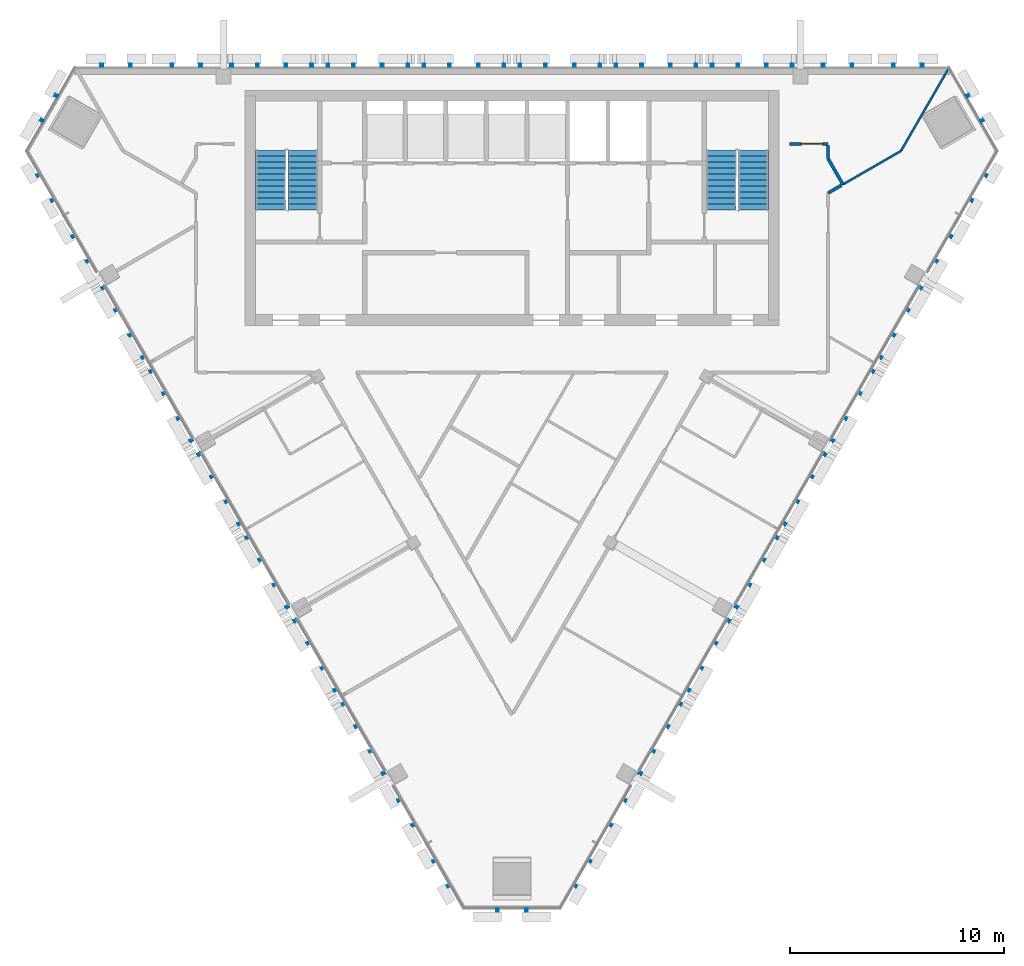
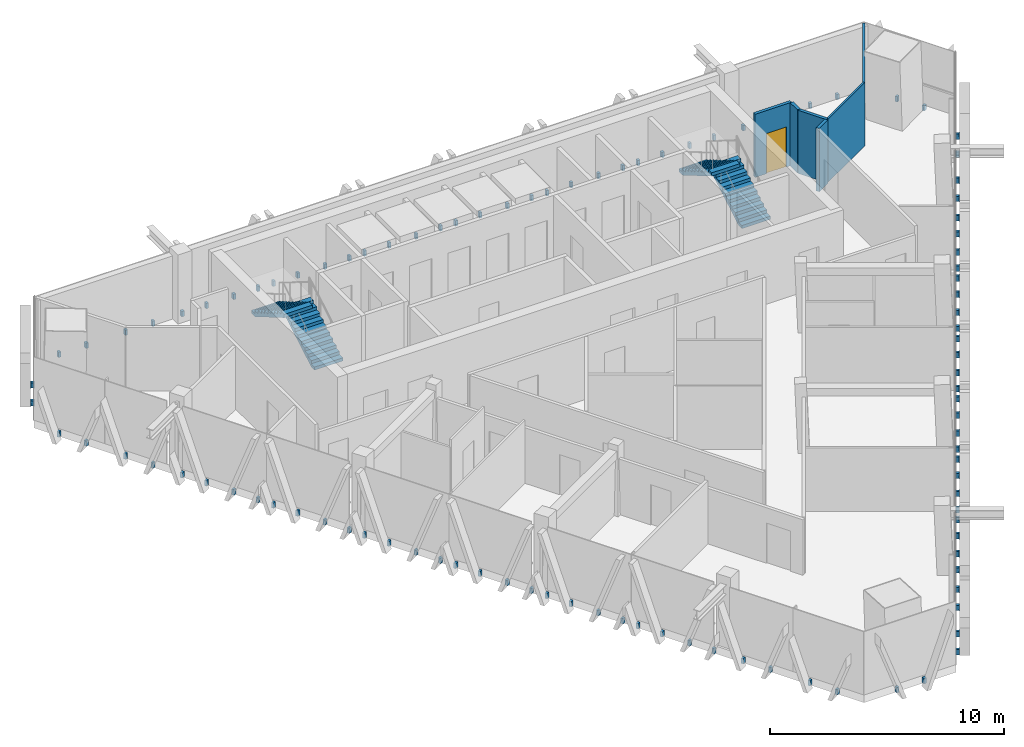
# One storey, part 10 of 12: 6 discrete accessories, 6 walls, 4 stair flights, 1 door, 1 opening, 2 elements without a shape of their own.
"""IFC4 building model written with IfcOpenShell, lengths in metres."""

import ifcopenshell
import ifcopenshell.guid

model = None  # the IFC model being written
_history = None  # IfcOwnerHistory: only IFC2X3 demands one
_inside = {}  # id of a spatial element -> (the spatial element, [elements in it])
_under = {}  # id of a project, library or spatial element -> (it, [spatial elements below it])
_declared = {}  # id of a project -> (the project, [libraries it declares])
_typed = {}  # id of a type object -> (the type object, [elements of that type])
_made_of = {}  # id of a material, layer set ... -> (it, [elements and type objects made of it])


def new_model(schema):
    """Start an empty IFC model of exactly this schema.

    Asked for "IFC4X3", IfcOpenShell would pick the latest addendum, in which some entities
    have other attributes; the version numbers below select the first issue.
    IFC2X3 requires an IfcOwnerHistory on every rooted entity: one is made here for all.
    """
    global model, _history
    if schema == "IFC4X3":
        model = ifcopenshell.file(schema_version=(4, 3, 0, 0))
    else:
        model = ifcopenshell.file(schema=schema)
    _inside.clear()
    _under.clear()
    _declared.clear()
    _typed.clear()
    _made_of.clear()
    _history = None
    if model.schema == "IFC2X3":
        org = make("IfcOrganization", Name="unknown")
        user = make(
            "IfcPersonAndOrganization",
            ThePerson=make("IfcPerson", FamilyName="unknown"),
            TheOrganization=org,
        )
        app = make(
            "IfcApplication",
            ApplicationDeveloper=org,
            Version="unknown",
            ApplicationFullName="unknown",
            ApplicationIdentifier="unknown",
        )
        _history = make(
            "IfcOwnerHistory",
            OwningUser=user,
            OwningApplication=app,
            ChangeAction="ADDED",
            CreationDate=0,
        )
    return model


def make(cls, **values):
    """One entity of the class cls with the attributes given. An attribute that is None is left unset."""
    return model.create_entity(
        cls, **{name: value for name, value in values.items() if value is not None}
    )


def rooted(cls, **values):
    """An entity with a GlobalId (a new one), such as an element, a storey or a relation."""
    return make(cls, GlobalId=ifcopenshell.guid.new(), OwnerHistory=_history, **values)


def si_unit(unit_type, name, prefix=None):
    """IfcSIUnit, for example si_unit("LENGTHUNIT", "METRE", prefix="MILLI")."""
    return make("IfcSIUnit", UnitType=unit_type, Prefix=prefix, Name=name)


def assignment(units):
    """IfcUnitAssignment: the units of a project."""
    return None if units is None else make("IfcUnitAssignment", Units=units)


def point(xyz):
    """IfcCartesianPoint."""
    return None if xyz is None else make("IfcCartesianPoint", Coordinates=xyz)


def direction(xyz):
    """IfcDirection."""
    return None if xyz is None else make("IfcDirection", DirectionRatios=xyz)


def frame(location, z_axis=None, x_axis=None):
    """IfcAxis2Placement3D, a coordinate frame: its origin and axes. An axis left out is left unset."""
    return make(
        "IfcAxis2Placement3D",
        Location=point(location),
        Axis=direction(z_axis),
        RefDirection=direction(x_axis),
    )


def frame_2d(location, x_axis=None):
    """IfcAxis2Placement2D, a coordinate frame in the plane: its origin and x axis."""
    return make(
        "IfcAxis2Placement2D", Location=point(location), RefDirection=direction(x_axis)
    )


def origin():
    """The frame at (0, 0, 0) with its axes left unset."""
    return frame((0.0, 0.0, 0.0))


def place(relative_to, where):
    """IfcLocalPlacement: puts the frame where relative to a parent placement (None: the world)."""
    return make(
        "IfcLocalPlacement", PlacementRelTo=relative_to, RelativePlacement=where
    )


def context(
    kind, dimensions, precision=None, world=None, true_north=None, identifier=None
):
    """IfcGeometricRepresentationContext, for example the 3D "Model" context."""
    return make(
        "IfcGeometricRepresentationContext",
        ContextIdentifier=identifier,
        ContextType=kind,
        CoordinateSpaceDimension=dimensions,
        Precision=precision,
        WorldCoordinateSystem=world,
        TrueNorth=true_north,
    )


def subcontext(parent, identifier, kind, view, scale=None):
    """IfcGeometricRepresentationSubContext, for example "Body" below "Model"."""
    return make(
        "IfcGeometricRepresentationSubContext",
        ContextIdentifier=identifier,
        ContextType=kind,
        ParentContext=parent,
        TargetScale=scale,
        TargetView=view,
    )


def project(units=None, contexts=None):
    """IfcProject with its units and contexts."""
    return rooted(
        "IfcProject",
        Name="project",
        RepresentationContexts=contexts,
        UnitsInContext=assignment(units),
    )


def spatial(cls, under=None, at=None, **own):
    """A site, building, storey or space (cls), placed at a placement, below another one or the project."""
    s = rooted(cls, ObjectPlacement=at, **own)
    if under is not None:
        _under.setdefault(under.id(), (under, []))[1].append(s)
    return s


def polyline(points):
    """IfcPolyline through the points."""
    return make("IfcPolyline", Points=[point(p) for p in points])


def profile(cls, at=None, kind="AREA", **sizes):
    """A parametric profile (cls). Its sizes go by their IFC names, for example OverallWidth=200.0."""
    return make(cls, ProfileType=kind, Position=at, **sizes)


def rectangle(**sizes):
    """IfcRectangleProfileDef."""
    return profile("IfcRectangleProfileDef", **sizes)


def outline(outer, holes=None, kind="AREA"):
    """IfcArbitraryClosedProfileDef: a profile drawn as a closed curve; with holes, ...WithVoids."""
    if holes is None:
        return make("IfcArbitraryClosedProfileDef", ProfileType=kind, OuterCurve=outer)
    return make(
        "IfcArbitraryProfileDefWithVoids",
        ProfileType=kind,
        OuterCurve=outer,
        InnerCurves=holes,
    )


def extrude(swept, where, along, depth):
    """IfcExtrudedAreaSolid: the profile swept, set in the frame where, extruded along a direction by depth."""
    return make(
        "IfcExtrudedAreaSolid",
        SweptArea=swept,
        Position=where,
        ExtrudedDirection=direction(along),
        Depth=depth,
    )


def shape(context_of_items, identifier, shape_type, items):
    """IfcShapeRepresentation: the items that make up one representation, for example the "Body"."""
    return make(
        "IfcShapeRepresentation",
        ContextOfItems=context_of_items,
        RepresentationIdentifier=identifier,
        RepresentationType=shape_type,
        Items=items,
    )


def source(mapping_origin, context_of_items, identifier, shape_type, items):
    """IfcRepresentationMap: a shape defined once, which mapped items show again and again."""
    return make(
        "IfcRepresentationMap",
        MappingOrigin=mapping_origin,
        MappedRepresentation=shape(context_of_items, identifier, shape_type, items),
    )


def transform(
    local_origin,
    x_axis=None,
    y_axis=None,
    z_axis=None,
    scale=None,
    scale2=None,
    scale3=None,
    uniform=True,
):
    """IfcCartesianTransformationOperator3D, or its non-uniform kind. x_axis, y_axis, z_axis: its Axis1, 2, 3."""
    if uniform:
        return make(
            "IfcCartesianTransformationOperator3D",
            Axis1=direction(x_axis),
            Axis2=direction(y_axis),
            LocalOrigin=point(local_origin),
            Scale=scale,
            Axis3=direction(z_axis),
        )
    return make(
        "IfcCartesianTransformationOperator3DnonUniform",
        Axis1=direction(x_axis),
        Axis2=direction(y_axis),
        LocalOrigin=point(local_origin),
        Scale=scale,
        Axis3=direction(z_axis),
        Scale2=scale2,
        Scale3=scale3,
    )


def mapped(mapping_source, mapping_target):
    """IfcMappedItem: shows the shape of a source again, moved by a transform."""
    return make(
        "IfcMappedItem", MappingSource=mapping_source, MappingTarget=mapping_target
    )


def material(Name=None, Category=None):
    """IfcMaterial."""
    return make("IfcMaterial", Name=Name, Category=Category)


def layer(
    of_material, thickness, ventilated=None, Name=None, Category=None, Priority=None
):
    """IfcMaterialLayer: one layer of a wall or slab, of a material (None: an air gap)."""
    return make(
        "IfcMaterialLayer",
        Material=of_material,
        LayerThickness=thickness,
        IsVentilated=ventilated,
        Name=Name,
        Category=Category,
        Priority=Priority,
    )


def layer_set(layers, Name=None):
    """IfcMaterialLayerSet."""
    return make("IfcMaterialLayerSet", MaterialLayers=layers, LayerSetName=Name)


def made_of(thing, what):
    """Note that an element or type object is made of a material, layer set ...; save() writes the relation."""
    if what is not None:
        _made_of.setdefault(what.id(), (what, []))[1].append(thing)
    return thing


def type_object(cls, material=None, **own):
    """A type object (cls), such as IfcWallType, which elements share."""
    return made_of(rooted(cls, **own), material)


def element(
    cls,
    number,
    at=None,
    inside=None,
    cuts=None,
    type_object=None,
    material=None,
    context=None,
    identifier="Body",
    shape_type=None,
    held_by="IfcProductDefinitionShape",
    body=None,
    shapes=None,
    **own,
):
    """One element of the class cls, such as IfcWall. Its Tag is "e" and its number.

    at: its placement. inside: the storey or other place that contains it. cuts: it is an
    opening in that element (IfcRelVoidsElement). A single representation is given by context,
    identifier, shape_type and body (its items); several are given by shapes. held_by: the class
    of the entity that holds the representations. save() writes the other relations.
    """
    e = rooted(cls, Tag="e%d" % number, ObjectPlacement=at, **own)
    if body is not None:
        shapes = [shape(context, identifier, shape_type, body)]
    if shapes is not None:
        e.Representation = make(held_by, Representations=shapes)
    if inside is not None:
        _inside.setdefault(inside.id(), (inside, []))[1].append(e)
    if cuts is not None:
        rooted(
            "IfcRelVoidsElement", RelatingBuildingElement=cuts, RelatedOpeningElement=e
        )
    if type_object is not None:
        _typed.setdefault(type_object.id(), (type_object, []))[1].append(e)
    return made_of(e, material)


def fill(opening, filler):
    """IfcRelFillsElement: the door or window that sits in an opening."""
    return rooted(
        "IfcRelFillsElement",
        RelatingOpeningElement=opening,
        RelatedBuildingElement=filler,
    )


def aggregate(whole, parts):
    """IfcRelAggregates: a whole, such as a stair, and the parts it consists of."""
    return rooted("IfcRelAggregates", RelatingObject=whole, RelatedObjects=parts)


def save(model, path):
    """Write the relations noted so far, then the file.

    IfcRelAggregates (storeys below a building ...), IfcRelContainedInSpatialStructure (elements
    in a storey), IfcRelDefinesByType, IfcRelAssociatesMaterial and IfcRelDeclares: one each for
    every whole, place, type object, material and project.
    """
    for whole, parts in _under.values():
        aggregate(whole, parts)
    for where, things in _inside.values():
        rooted(
            "IfcRelContainedInSpatialStructure",
            RelatedElements=things,
            RelatingStructure=where,
        )
    for kind, things in _typed.values():
        rooted("IfcRelDefinesByType", RelatedObjects=things, RelatingType=kind)
    for what, things in _made_of.values():
        rooted("IfcRelAssociatesMaterial", RelatedObjects=things, RelatingMaterial=what)
    for by, libraries in _declared.values():
        rooted("IfcRelDeclares", RelatingContext=by, RelatedDefinitions=libraries)
    model.write(path)


model = new_model("IFC4")

# Units and contexts
model_context = context("Model", 3, precision=1e-05, world=origin(), true_north=direction((0.0, 1.0)))
body_context = subcontext(model_context, "Body", "Model", "MODEL_VIEW")
ifc_project = project(units=[si_unit("LENGTHUNIT", "METRE"), si_unit("AREAUNIT", "SQUARE_METRE"), si_unit("VOLUMEUNIT", "CUBIC_METRE"), si_unit("PLANEANGLEUNIT", "RADIAN"), si_unit("MASSUNIT", "GRAM", prefix="KILO")], contexts=[model_context])

# Site, building, storey
site_placement = place(None, origin())
site = spatial("IfcSite", under=ifc_project, at=site_placement, CompositionType="ELEMENT")
building_placement = place(site_placement, origin())
building = spatial("IfcBuilding", under=site, at=building_placement, Name="Altiplano Prism Tower", CompositionType="ELEMENT")
storey_placement = place(building_placement, frame((0.0, 0.0, 282.39990234375)))
storey = spatial("IfcBuildingStorey", under=building, at=storey_placement, Name="L73", CompositionType="ELEMENT", Elevation=282.39990234375)

# Walls
ifc_material_1 = material(Name="Plasterboard on steel stud", Category="steel")
ifc_layer_1 = layer(ifc_material_1, 0.10009765625)
ifc_layer_set_1 = layer_set([ifc_layer_1], Name="Plasterboard on steel stud")
wall_type_1 = type_object("IfcWallType", Name="Partition 100 wet", PredefinedType="PARTITIONING", material=ifc_layer_set_1)
wall_1_placement = place(storey_placement, frame((105.42626953125, 104.89990234375, 0.0), z_axis=(0.0, 0.0, 1.0), x_axis=(-0.50002658043, -0.866010057022, 0.0)))
element("IfcWall", 1, at=wall_1_placement, inside=storey, type_object=wall_type_1, Name="Partition P03 L73 041", PredefinedType="PARTITIONING", context=body_context, shape_type="SweptSolid", body=[
    extrude(rectangle(XDim=4.424072265625, YDim=0.10009765625, at=frame_2d((2.2119140625, 0.0))), origin(), (0.0, 0.0, 1.0), 3.300048828125),
])
wall_2_placement = place(storey_placement, frame((103.214111328125, 101.068603515625, 0.0), z_axis=(0.0, 0.0, 1.0), x_axis=(-0.866036561919, -0.499980673046, 0.0)))
element("IfcWall", 2, at=wall_2_placement, inside=storey, type_object=wall_type_1, Name="Partition P03 L73 042", PredefinedType="PARTITIONING", context=body_context, shape_type="SweptSolid", body=[
    extrude(rectangle(XDim=3.13720703125, YDim=0.10009765625, at=frame_2d((1.568603515625, 0.0))), origin(), (0.0, 0.0, 1.0), 3.300048828125),
])
ifc_layer_2 = layer(ifc_material_1, 0.14990234375)
ifc_layer_set_2 = layer_set([ifc_layer_2], Name="Plasterboard on steel stud")
wall_type_2 = type_object("IfcWallType", Name="Partition 150 corridor", PredefinedType="PARTITIONING", material=ifc_layer_set_2)
wall_3_placement = place(storey_placement, frame((99.800048828125, 99.097412109375, 0.0), z_axis=(0.0, 0.0, 1.0), x_axis=(0.865990618459, 0.500060245112, 0.0)))
element("IfcWall", 3, at=wall_3_placement, inside=storey, type_object=wall_type_2, Name="Partition P06 L73 009", PredefinedType="PARTITIONING", context=body_context, shape_type="SweptSolid", body=[
    extrude(rectangle(XDim=0.72998046875, YDim=0.14990234375, at=frame_2d((0.364990234375, 0.0))), origin(), (0.0, 0.0, 1.0), 3.300048828125),
])
wall_4_placement = place(storey_placement, frame((100.4970703125, 99.5, 0.0), z_axis=(0.0, 0.0, 1.0), x_axis=(-0.499924558776, 0.866068955414, 0.0)))
element("IfcWall", 4, at=wall_4_placement, inside=storey, type_object=wall_type_2, Name="Partition P06 L73 010", PredefinedType="PARTITIONING", context=body_context, shape_type="SweptSolid", body=[
    extrude(rectangle(XDim=1.394287109375, YDim=0.14990234375, at=frame_2d((0.697265625, 0.0))), origin(), (0.0, 0.0, 1.0), 3.300048828125),
])
wall_5_placement = place(storey_placement, frame((99.800048828125, 100.70751953125, 0.0), z_axis=(0.0, 0.0, 1.0), x_axis=(0.0, 1.0, 0.0)))
element("IfcWall", 5, at=wall_5_placement, inside=storey, type_object=wall_type_2, Name="Partition P06 L73 011", PredefinedType="PARTITIONING", context=body_context, shape_type="SweptSolid", body=[
    extrude(rectangle(XDim=0.617431640625, YDim=0.14990234375, at=frame_2d((0.30859375, 0.0))), origin(), (0.0, 0.0, 1.0), 3.300048828125),
])

# Wall, opening, door
wall_6_placement = place(storey_placement, frame((99.800048828125, 101.39990234375, 0.0), z_axis=(0.0, 0.0, 1.0), x_axis=(-1.0, 0.0, 0.0)))
wall_6 = element("IfcWall", 6, at=wall_6_placement, inside=storey, type_object=wall_type_2, Name="Partition P06 L73 012", PredefinedType="PARTITIONING", context=body_context, shape_type="SweptSolid", body=[
    extrude(rectangle(XDim=1.800048828125, YDim=0.14990234375, at=frame_2d((0.89990234375, 0.0))), origin(), (0.0, 0.0, 1.0), 3.300048828125),
])
opening_placement = place(wall_6_placement, frame((0.25, 0.0, 0.0)))
opening = element("IfcOpeningElement", 7, at=opening_placement, cuts=wall_6, Name="Opening D2287", PredefinedType="OPENING", context=body_context, shape_type="SweptSolid", body=[
    extrude(rectangle(XDim=1.0, YDim=2.10009765625, at=frame_2d((0.5, 1.050048828125))), frame((0.0, 0.08544921875, 0.0), z_axis=(0.0, -1.0, 0.0), x_axis=(1.0, 0.0, 0.0)), (0.0, 0.0, 1.0), 0.1708984375),
])
ifc_material_2 = material(Name="Timber", Category="wood")
door_type = type_object("IfcDoorType", Name="Store door 1000 x 2100", OperationType="NOTDEFINED", PredefinedType="NOTDEFINED", material=ifc_material_2)
door_placement = place(opening_placement, origin())
door = element("IfcDoor", 8, at=door_placement, inside=storey, type_object=door_type, Name="Door D2287", OperationType="SINGLE_SWING_RIGHT", OverallHeight=2.10009765625, OverallWidth=1.0, PredefinedType="NOTDEFINED", context=body_context, shape_type="SweptSolid", body=[
    extrude(rectangle(XDim=1.0, YDim=2.10009765625, at=frame_2d((0.5, 1.050048828125))), frame((0.0, 0.02490234375, 0.0), z_axis=(0.0, -1.0, 0.0), x_axis=(1.0, 0.0, 0.0)), (0.0, 0.0, 1.0), 0.050048828125),
])
fill(opening, door)

# Stair, stair flights
ifc_material_3 = material(Name="Concrete C40/50", Category="concrete")
stair_type = type_object("IfcStairType", Name="Exit stair 1400", PredefinedType="HALF_TURN_STAIR", material=ifc_material_3)
stair_1_placement = place(storey_placement, origin())
stair_1 = element("IfcStair", 9, at=stair_1_placement, inside=storey, type_object=stair_type, Name="L73 Exit Stair 1", PredefinedType="HALF_TURN_STAIR")
stair_flight_type = type_object("IfcStairFlightType", Name="Stair flight concrete 150", PredefinedType="STRAIGHT", material=ifc_material_3)
stair_flight_1_placement = place(storey_placement, frame((75.199951171875, 98.300048828125, 0.0), z_axis=(0.0, 0.0, 1.0), x_axis=(0.0, 1.0, 0.0)))
stair_flight_1 = element("IfcStairFlight", 10, at=stair_flight_1_placement, type_object=stair_flight_type, Name="ST1 flight 1", NumberOfRisers=11, NumberOfTreads=10, PredefinedType="STRAIGHT", RiserHeight=0.163636364, TreadLength=0.28, context=body_context, shape_type="SweptSolid", body=[
    extrude(outline(polyline([(0.0, 0.0), (0.0, 0.16357421875), (0.280029296875, 0.16357421875), (0.280029296875, 0.327392578125), (0.56005859375, 0.327392578125), (0.56005859375, 0.490966796875), (0.840087890625, 0.490966796875), (0.840087890625, 0.654541015625), (1.1201171875, 0.654541015625), (1.1201171875, 0.818115234375), (1.39990234375, 0.818115234375), (1.39990234375, 0.98193359375), (1.679931640625, 0.98193359375), (1.679931640625, 1.1455078125), (1.9599609375, 1.1455078125), (1.9599609375, 1.30908203125), (2.239990234375, 1.30908203125), (2.239990234375, 1.47265625), (2.52001953125, 1.47265625), (2.52001953125, 1.636474609375), (2.800048828125, 1.636474609375), (2.800048828125, 1.800048828125), (2.800048828125, 1.462646484375), (0.297119140625, 0.0), (0.0, 0.0)])), frame((0.0, 0.699951171875, 0.0), z_axis=(0.0, -1.0, 0.0), x_axis=(1.0, 0.0, 0.0)), (0.0, 0.0, 1.0), 1.39990234375),
])
stair_flight_2_placement = place(storey_placement, frame((73.699951171875, 101.10009765625, 1.800048828125), z_axis=(0.0, 0.0, 1.0), x_axis=(0.0, -1.0, 0.0)))
stair_flight_2 = element("IfcStairFlight", 11, at=stair_flight_2_placement, type_object=stair_flight_type, Name="ST1 flight 2", NumberOfRisers=11, NumberOfTreads=10, PredefinedType="STRAIGHT", RiserHeight=0.163636364, TreadLength=0.28, context=body_context, shape_type="SweptSolid", body=[
    extrude(outline(polyline([(0.0, 0.0), (0.0, 0.16357421875), (0.280029296875, 0.16357421875), (0.280029296875, 0.327392578125), (0.56005859375, 0.327392578125), (0.56005859375, 0.490966796875), (0.840087890625, 0.490966796875), (0.840087890625, 0.654541015625), (1.1201171875, 0.654541015625), (1.1201171875, 0.818115234375), (1.39990234375, 0.818115234375), (1.39990234375, 0.98193359375), (1.679931640625, 0.98193359375), (1.679931640625, 1.1455078125), (1.9599609375, 1.1455078125), (1.9599609375, 1.30908203125), (2.239990234375, 1.30908203125), (2.239990234375, 1.47265625), (2.52001953125, 1.47265625), (2.52001953125, 1.636474609375), (2.800048828125, 1.636474609375), (2.800048828125, 1.800048828125), (2.800048828125, 1.462646484375), (0.297119140625, 0.0), (0.0, 0.0)])), frame((0.0, 0.699951171875, 0.0), z_axis=(0.0, -1.0, 0.0), x_axis=(1.0, 0.0, 0.0)), (0.0, 0.0, 1.0), 1.39990234375),
])
aggregate(stair_1, [stair_flight_1, stair_flight_2])

stair_2_placement = place(storey_placement, origin())
stair_2 = element("IfcStair", 12, at=stair_2_placement, inside=storey, type_object=stair_type, Name="L73 Exit Stair 2", PredefinedType="HALF_TURN_STAIR")
stair_flight_3_placement = place(storey_placement, frame((96.300048828125, 98.300048828125, 0.0), z_axis=(0.0, 0.0, 1.0), x_axis=(0.0, 1.0, 0.0)))
stair_flight_3 = element("IfcStairFlight", 13, at=stair_flight_3_placement, type_object=stair_flight_type, Name="ST2 flight 1", NumberOfRisers=11, NumberOfTreads=10, PredefinedType="STRAIGHT", RiserHeight=0.163636364, TreadLength=0.28, context=body_context, shape_type="SweptSolid", body=[
    extrude(outline(polyline([(0.0, 0.0), (0.0, 0.16357421875), (0.280029296875, 0.16357421875), (0.280029296875, 0.327392578125), (0.56005859375, 0.327392578125), (0.56005859375, 0.490966796875), (0.840087890625, 0.490966796875), (0.840087890625, 0.654541015625), (1.1201171875, 0.654541015625), (1.1201171875, 0.818115234375), (1.39990234375, 0.818115234375), (1.39990234375, 0.98193359375), (1.679931640625, 0.98193359375), (1.679931640625, 1.1455078125), (1.9599609375, 1.1455078125), (1.9599609375, 1.30908203125), (2.239990234375, 1.30908203125), (2.239990234375, 1.47265625), (2.52001953125, 1.47265625), (2.52001953125, 1.636474609375), (2.800048828125, 1.636474609375), (2.800048828125, 1.800048828125), (2.800048828125, 1.462646484375), (0.297119140625, 0.0), (0.0, 0.0)])), frame((0.0, 0.699951171875, 0.0), z_axis=(0.0, -1.0, 0.0), x_axis=(1.0, 0.0, 0.0)), (0.0, 0.0, 1.0), 1.39990234375),
])
stair_flight_4_placement = place(storey_placement, frame((94.800048828125, 101.10009765625, 1.800048828125), z_axis=(0.0, 0.0, 1.0), x_axis=(0.0, -1.0, 0.0)))
stair_flight_4 = element("IfcStairFlight", 14, at=stair_flight_4_placement, type_object=stair_flight_type, Name="ST2 flight 2", NumberOfRisers=11, NumberOfTreads=10, PredefinedType="STRAIGHT", RiserHeight=0.163636364, TreadLength=0.28, context=body_context, shape_type="SweptSolid", body=[
    extrude(outline(polyline([(0.0, 0.0), (0.0, 0.16357421875), (0.280029296875, 0.16357421875), (0.280029296875, 0.327392578125), (0.56005859375, 0.327392578125), (0.56005859375, 0.490966796875), (0.840087890625, 0.490966796875), (0.840087890625, 0.654541015625), (1.1201171875, 0.654541015625), (1.1201171875, 0.818115234375), (1.39990234375, 0.818115234375), (1.39990234375, 0.98193359375), (1.679931640625, 0.98193359375), (1.679931640625, 1.1455078125), (1.9599609375, 1.1455078125), (1.9599609375, 1.30908203125), (2.239990234375, 1.30908203125), (2.239990234375, 1.47265625), (2.52001953125, 1.47265625), (2.52001953125, 1.636474609375), (2.800048828125, 1.636474609375), (2.800048828125, 1.800048828125), (2.800048828125, 1.462646484375), (0.297119140625, 0.0), (0.0, 0.0)])), frame((0.0, 0.699951171875, 0.0), z_axis=(0.0, -1.0, 0.0), x_axis=(1.0, 0.0, 0.0)), (0.0, 0.0, 1.0), 1.39990234375),
])
aggregate(stair_2, [stair_flight_3, stair_flight_4])

# Discrete accessories
ifc_material_4 = material(Name="Stainless steel", Category="steel")
discrete_accessory_type = type_object("IfcDiscreteAccessoryType", Name="Stone fin fixing prongs", PredefinedType="USERDEFINED", material=ifc_material_4)
shared_shape_1 = source(origin(), body_context, "Body", "SweptSolid", [
    extrude(outline(polyline([(-0.73291015625, 0.06005859375), (-0.61279296875, 0.06005859375), (-0.61279296875, 0.340087890625), (-0.73291015625, 0.340087890625), (-0.73291015625, 0.06005859375)])), frame((0.0, 0.0, 0.0), z_axis=(0.0, -1.0, 0.0), x_axis=(1.0, 0.0, 0.0)), (0.0, 0.0, 1.0), 0.14990234375),
    extrude(outline(polyline([(0.61279296875, 0.06005859375), (0.73291015625, 0.06005859375), (0.73291015625, 0.340087890625), (0.61279296875, 0.340087890625), (0.61279296875, 0.06005859375)])), frame((0.0, 0.0, 0.0), z_axis=(0.0, -1.0, 0.0), x_axis=(1.0, 0.0, 0.0)), (0.0, 0.0, 1.0), 0.14990234375),
])
shared_shape_2 = source(origin(), body_context, "Body", "SweptSolid", [
    extrude(outline(polyline([(-0.73291015625, 0.06005859375), (-0.61279296875, 0.06005859375), (-0.61279296875, 0.340087890625), (-0.73291015625, 0.340087890625), (-0.73291015625, 0.06005859375)])), frame((0.0, 0.0, 0.0), z_axis=(0.0, -1.0, 0.0), x_axis=(1.0, 0.0, 0.0)), (0.0, 0.0, 1.0), 0.14990234375),
    extrude(outline(polyline([(0.61279296875, 0.06005859375), (0.73291015625, 0.06005859375), (0.73291015625, 0.340087890625), (0.61279296875, 0.340087890625), (0.61279296875, 0.06005859375)])), frame((0.0, 0.0, 0.0), z_axis=(0.0, -1.0, 0.0), x_axis=(1.0, 0.0, 0.0)), (0.0, 0.0, 1.0), 0.14990234375),
])
shared_shape_3 = source(origin(), body_context, "Body", "SweptSolid", [
    extrude(outline(polyline([(-1.932861328125, 0.06005859375), (-1.812744140625, 0.06005859375), (-1.812744140625, 0.340087890625), (-1.932861328125, 0.340087890625), (-1.932861328125, 0.06005859375)])), frame((0.0, 0.0, 0.0), z_axis=(0.0, -1.0, 0.0), x_axis=(1.0, 0.0, 0.0)), (0.0, 0.0, 1.0), 0.14990234375),
    extrude(outline(polyline([(-0.73291015625, 0.06005859375), (-0.61279296875, 0.06005859375), (-0.61279296875, 0.340087890625), (-0.73291015625, 0.340087890625), (-0.73291015625, 0.06005859375)])), frame((0.0, 0.0, 0.0), z_axis=(0.0, -1.0, 0.0), x_axis=(1.0, 0.0, 0.0)), (0.0, 0.0, 1.0), 0.14990234375),
    extrude(outline(polyline([(0.61279296875, 0.06005859375), (0.73291015625, 0.06005859375), (0.73291015625, 0.340087890625), (0.61279296875, 0.340087890625), (0.61279296875, 0.06005859375)])), frame((0.0, 0.0, 0.0), z_axis=(0.0, -1.0, 0.0), x_axis=(1.0, 0.0, 0.0)), (0.0, 0.0, 1.0), 0.14990234375),
    extrude(outline(polyline([(1.812744140625, 0.06005859375), (1.932861328125, 0.06005859375), (1.932861328125, 0.340087890625), (1.812744140625, 0.340087890625), (1.812744140625, 0.06005859375)])), frame((0.0, 0.0, 0.0), z_axis=(0.0, -1.0, 0.0), x_axis=(1.0, 0.0, 0.0)), (0.0, 0.0, 1.0), 0.14990234375),
])
discrete_accessory_1_placement = place(storey_placement, origin())
element("IfcDiscreteAccessory", 15, at=discrete_accessory_1_placement, inside=storey, type_object=discrete_accessory_type, Name="Fin fixings L73 north face", ObjectType="BRACKET", PredefinedType="USERDEFINED", context=body_context, shape_type="MappedRepresentation", body=[
    mapped(shared_shape_1, transform((103.5380859375, 105.0, -0.39990234375), x_axis=(-1.0, 0.0, 0.0), y_axis=(0.0, -1.0, 0.0), z_axis=(0.0, 0.0, 1.0))),
    mapped(shared_shape_2, transform((100.24609375, 105.0, -0.39990234375), x_axis=(-1.0, 0.0, 0.0), y_axis=(0.0, -1.0, 0.0), z_axis=(0.0, 0.0, 1.0))),
    mapped(shared_shape_3, transform((96.25, 105.0, -0.39990234375), x_axis=(-1.0, 0.0, 0.0), y_axis=(0.0, -1.0, 0.0), z_axis=(0.0, 0.0, 1.0))),
    mapped(shared_shape_3, transform((91.75, 105.0, -0.39990234375), x_axis=(-1.0, 0.0, 0.0), y_axis=(0.0, -1.0, 0.0), z_axis=(0.0, 0.0, 1.0))),
    mapped(shared_shape_3, transform((87.25, 105.0, -0.39990234375), x_axis=(-1.0, 0.0, 0.0), y_axis=(0.0, -1.0, 0.0), z_axis=(0.0, 0.0, 1.0))),
    mapped(shared_shape_3, transform((82.75, 105.0, -0.39990234375), x_axis=(-1.0, 0.0, 0.0), y_axis=(0.0, -1.0, 0.0), z_axis=(0.0, 0.0, 1.0))),
    mapped(shared_shape_3, transform((78.25, 105.0, -0.39990234375), x_axis=(-1.0, 0.0, 0.0), y_axis=(0.0, -1.0, 0.0), z_axis=(0.0, 0.0, 1.0))),
    mapped(shared_shape_3, transform((73.75, 105.0, -0.39990234375), x_axis=(-1.0, 0.0, 0.0), y_axis=(0.0, -1.0, 0.0), z_axis=(0.0, 0.0, 1.0))),
    mapped(shared_shape_2, transform((69.75390625, 105.0, -0.39990234375), x_axis=(-1.0, 0.0, 0.0), y_axis=(0.0, -1.0, 0.0), z_axis=(0.0, 0.0, 1.0))),
    mapped(shared_shape_1, transform((66.4619140625, 105.0, -0.39990234375), x_axis=(-1.0, 0.0, 0.0), y_axis=(0.0, -1.0, 0.0), z_axis=(0.0, 0.0, 1.0))),
])
discrete_accessory_2_placement = place(storey_placement, origin())
element("IfcDiscreteAccessory", 16, at=discrete_accessory_2_placement, inside=storey, type_object=discrete_accessory_type, Name="Fin fixings L73 south-west face", ObjectType="BRACKET", PredefinedType="USERDEFINED", context=body_context, shape_type="MappedRepresentation", body=[
    mapped(shared_shape_1, transform((63.21923828125, 99.383544921875, -0.39990234375), x_axis=(0.499999992925, -0.866025407869, 0.0), y_axis=(0.866025407869, 0.499999992925, 0.0), z_axis=(0.0, 0.0, 1.0))),
    mapped(shared_shape_2, transform((64.865234375, 96.532470703125, -0.39990234375), x_axis=(0.499999992925, -0.866025407869, 0.0), y_axis=(0.866025407869, 0.499999992925, 0.0), z_axis=(0.0, 0.0, 1.0))),
    mapped(shared_shape_3, transform((66.86328125, 93.07177734375, -0.39990234375), x_axis=(0.499999992925, -0.866025407869, 0.0), y_axis=(0.866025407869, 0.499999992925, 0.0), z_axis=(0.0, 0.0, 1.0))),
    mapped(shared_shape_3, transform((69.11328125, 89.1748046875, -0.39990234375), x_axis=(0.499999992925, -0.866025407869, 0.0), y_axis=(0.866025407869, 0.499999992925, 0.0), z_axis=(0.0, 0.0, 1.0))),
    mapped(shared_shape_3, transform((71.36328125, 85.277587890625, -0.39990234375), x_axis=(0.499999992925, -0.866025407869, 0.0), y_axis=(0.866025407869, 0.499999992925, 0.0), z_axis=(0.0, 0.0, 1.0))),
    mapped(shared_shape_3, transform((73.61328125, 81.380615234375, -0.39990234375), x_axis=(0.499999992925, -0.866025407869, 0.0), y_axis=(0.866025407869, 0.499999992925, 0.0), z_axis=(0.0, 0.0, 1.0))),
    mapped(shared_shape_3, transform((75.86328125, 77.4833984375, -0.39990234375), x_axis=(0.499999992925, -0.866025407869, 0.0), y_axis=(0.866025407869, 0.499999992925, 0.0), z_axis=(0.0, 0.0, 1.0))),
    mapped(shared_shape_3, transform((78.11328125, 73.586181640625, -0.39990234375), x_axis=(0.499999992925, -0.866025407869, 0.0), y_axis=(0.866025407869, 0.499999992925, 0.0), z_axis=(0.0, 0.0, 1.0))),
    mapped(shared_shape_2, transform((80.111328125, 70.125732421875, -0.39990234375), x_axis=(0.499999992925, -0.866025407869, 0.0), y_axis=(0.866025407869, 0.499999992925, 0.0), z_axis=(0.0, 0.0, 1.0))),
    mapped(shared_shape_1, transform((81.75732421875, 67.274658203125, -0.39990234375), x_axis=(0.499999992925, -0.866025407869, 0.0), y_axis=(0.866025407869, 0.499999992925, 0.0), z_axis=(0.0, 0.0, 1.0))),
])
discrete_accessory_3_placement = place(storey_placement, origin())
element("IfcDiscreteAccessory", 17, at=discrete_accessory_3_placement, inside=storey, type_object=discrete_accessory_type, Name="Fin fixings L73 south-east face", ObjectType="BRACKET", PredefinedType="USERDEFINED", context=body_context, shape_type="MappedRepresentation", body=[
    mapped(shared_shape_1, transform((88.24267578125, 67.274658203125, -0.39990234375), x_axis=(0.499999992925, 0.866025407869, 0.0), y_axis=(-0.866025407869, 0.499999992925, 0.0), z_axis=(0.0, 0.0, 1.0))),
    mapped(shared_shape_2, transform((89.888671875, 70.125732421875, -0.39990234375), x_axis=(0.499999992925, 0.866025407869, 0.0), y_axis=(-0.866025407869, 0.499999992925, 0.0), z_axis=(0.0, 0.0, 1.0))),
    mapped(shared_shape_3, transform((91.88671875, 73.586181640625, -0.39990234375), x_axis=(0.499999992925, 0.866025407869, 0.0), y_axis=(-0.866025407869, 0.499999992925, 0.0), z_axis=(0.0, 0.0, 1.0))),
    mapped(shared_shape_3, transform((94.13671875, 77.4833984375, -0.39990234375), x_axis=(0.499999992925, 0.866025407869, 0.0), y_axis=(-0.866025407869, 0.499999992925, 0.0), z_axis=(0.0, 0.0, 1.0))),
    mapped(shared_shape_3, transform((96.38671875, 81.380615234375, -0.39990234375), x_axis=(0.499999992925, 0.866025407869, 0.0), y_axis=(-0.866025407869, 0.499999992925, 0.0), z_axis=(0.0, 0.0, 1.0))),
    mapped(shared_shape_3, transform((98.63671875, 85.277587890625, -0.39990234375), x_axis=(0.499999992925, 0.866025407869, 0.0), y_axis=(-0.866025407869, 0.499999992925, 0.0), z_axis=(0.0, 0.0, 1.0))),
    mapped(shared_shape_3, transform((100.88671875, 89.1748046875, -0.39990234375), x_axis=(0.499999992925, 0.866025407869, 0.0), y_axis=(-0.866025407869, 0.499999992925, 0.0), z_axis=(0.0, 0.0, 1.0))),
    mapped(shared_shape_3, transform((103.13671875, 93.07177734375, -0.39990234375), x_axis=(0.499999992925, 0.866025407869, 0.0), y_axis=(-0.866025407869, 0.499999992925, 0.0), z_axis=(0.0, 0.0, 1.0))),
    mapped(shared_shape_2, transform((105.134765625, 96.532470703125, -0.39990234375), x_axis=(0.499999992925, 0.866025407869, 0.0), y_axis=(-0.866025407869, 0.499999992925, 0.0), z_axis=(0.0, 0.0, 1.0))),
    mapped(shared_shape_1, transform((106.78076171875, 99.383544921875, -0.39990234375), x_axis=(0.499999992925, 0.866025407869, 0.0), y_axis=(-0.866025407869, 0.499999992925, 0.0), z_axis=(0.0, 0.0, 1.0))),
])
shared_shape_4 = source(origin(), body_context, "Body", "SweptSolid", [
    extrude(outline(polyline([(-0.73291015625, 0.06005859375), (-0.61279296875, 0.06005859375), (-0.61279296875, 0.340087890625), (-0.73291015625, 0.340087890625), (-0.73291015625, 0.06005859375)])), frame((0.0, 0.0, 0.0), z_axis=(0.0, -1.0, 0.0), x_axis=(1.0, 0.0, 0.0)), (0.0, 0.0, 1.0), 0.14990234375),
    extrude(outline(polyline([(0.61279296875, 0.06005859375), (0.73291015625, 0.06005859375), (0.73291015625, 0.340087890625), (0.61279296875, 0.340087890625), (0.61279296875, 0.06005859375)])), frame((0.0, 0.0, 0.0), z_axis=(0.0, -1.0, 0.0), x_axis=(1.0, 0.0, 0.0)), (0.0, 0.0, 1.0), 0.14990234375),
])
discrete_accessory_4_placement = place(storey_placement, origin())
element("IfcDiscreteAccessory", 18, at=discrete_accessory_4_placement, inside=storey, type_object=discrete_accessory_type, Name="Fin fixings L73 north-west chamfer", ObjectType="BRACKET", PredefinedType="USERDEFINED", context=body_context, shape_type="MappedRepresentation", body=[
    mapped(shared_shape_4, transform((63.381103515625, 103.034423828125, -0.39990234375), x_axis=(-0.500000042982, -0.866025378969, 0.0), y_axis=(0.866025378969, -0.500000042982, 0.0), z_axis=(0.0, 0.0, 1.0))),
])
discrete_accessory_5_placement = place(storey_placement, origin())
element("IfcDiscreteAccessory", 19, at=discrete_accessory_5_placement, inside=storey, type_object=discrete_accessory_type, Name="Fin fixings L73 south chamfer", ObjectType="BRACKET", PredefinedType="USERDEFINED", context=body_context, shape_type="MappedRepresentation", body=[
    mapped(shared_shape_4, transform((85.0, 65.58935546875, -0.39990234375), x_axis=(1.0, 0.0, 0.0), y_axis=(0.0, 1.0, 0.0), z_axis=(0.0, 0.0, 1.0))),
])
discrete_accessory_6_placement = place(storey_placement, origin())
element("IfcDiscreteAccessory", 20, at=discrete_accessory_6_placement, inside=storey, type_object=discrete_accessory_type, Name="Fin fixings L73 north-east chamfer", ObjectType="BRACKET", PredefinedType="USERDEFINED", context=body_context, shape_type="MappedRepresentation", body=[
    mapped(shared_shape_4, transform((106.618896484375, 103.034423828125, -0.39990234375), x_axis=(-0.500000042982, 0.866025378969, 0.0), y_axis=(-0.866025378969, -0.500000042982, 0.0), z_axis=(0.0, 0.0, 1.0))),
])

save(model, "model.ifc")
